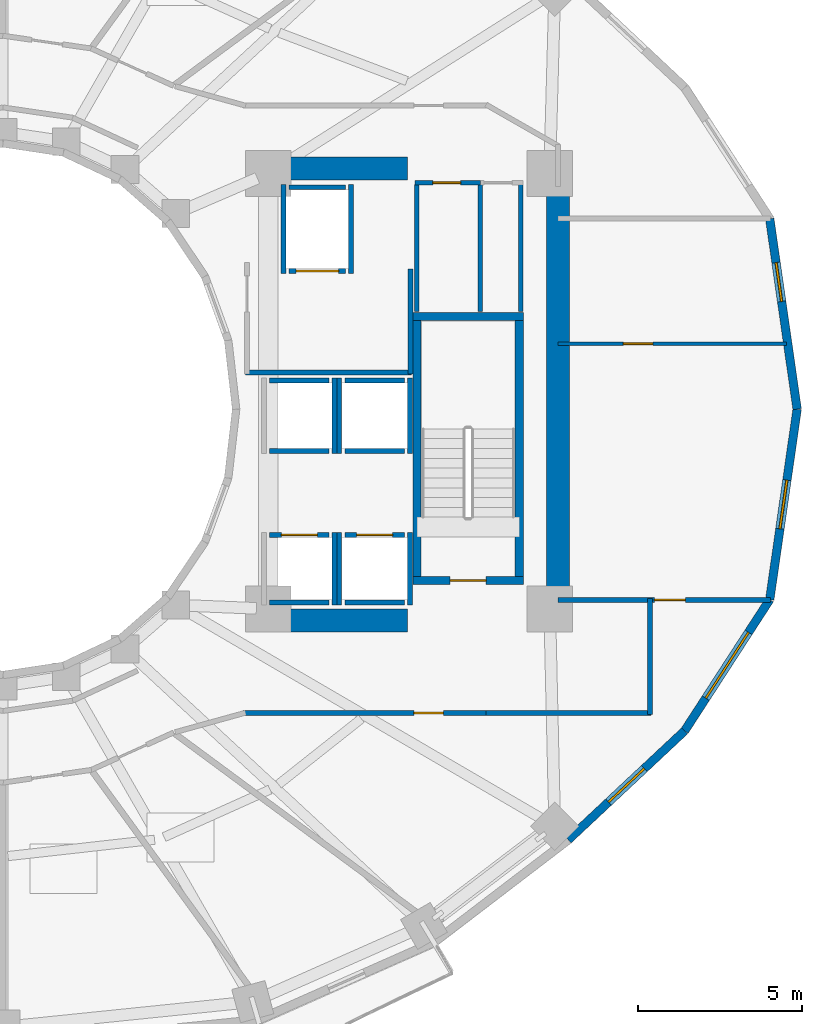
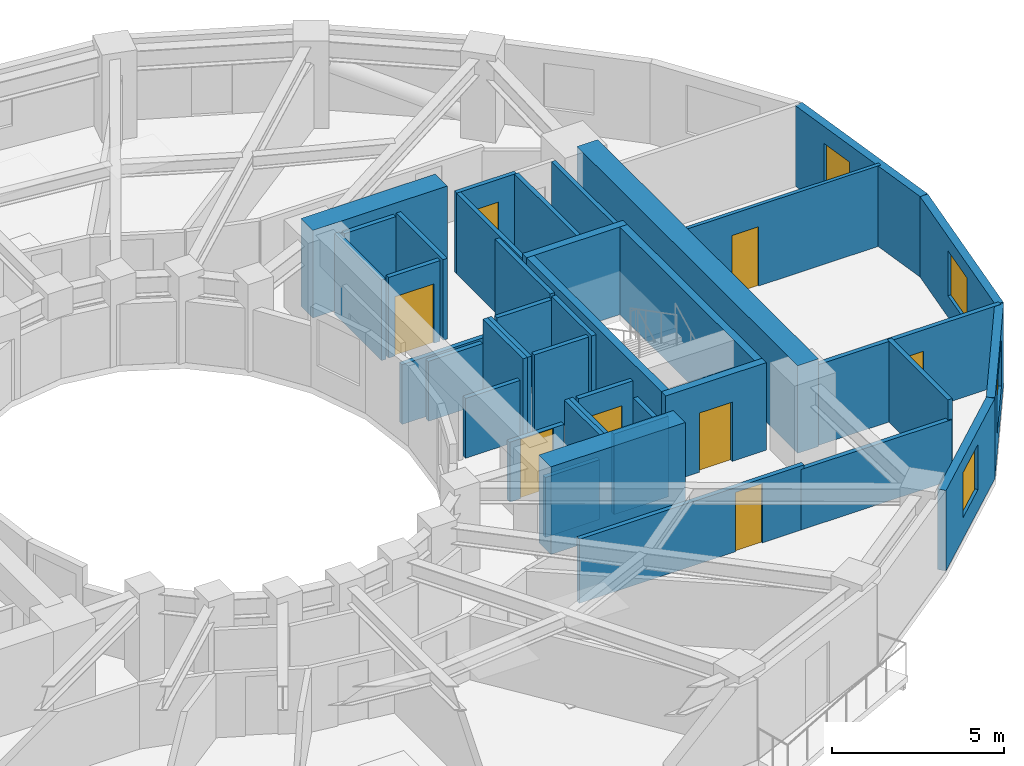
# One storey, part 6 of 10: 40 walls, 8 doors, 4 windows, 12 openings.
"""IFC4 building model written with IfcOpenShell, lengths in metres."""

import ifcopenshell
import ifcopenshell.guid

model = None  # the IFC model being written
_history = None  # IfcOwnerHistory: only IFC2X3 demands one
_inside = {}  # id of a spatial element -> (the spatial element, [elements in it])
_under = {}  # id of a project, library or spatial element -> (it, [spatial elements below it])
_declared = {}  # id of a project -> (the project, [libraries it declares])
_typed = {}  # id of a type object -> (the type object, [elements of that type])
_made_of = {}  # id of a material, layer set ... -> (it, [elements and type objects made of it])


def new_model(schema):
    """Start an empty IFC model of exactly this schema.

    Asked for "IFC4X3", IfcOpenShell would pick the latest addendum, in which some entities
    have other attributes; the version numbers below select the first issue.
    IFC2X3 requires an IfcOwnerHistory on every rooted entity: one is made here for all.
    """
    global model, _history
    if schema == "IFC4X3":
        model = ifcopenshell.file(schema_version=(4, 3, 0, 0))
    else:
        model = ifcopenshell.file(schema=schema)
    _inside.clear()
    _under.clear()
    _declared.clear()
    _typed.clear()
    _made_of.clear()
    _history = None
    if model.schema == "IFC2X3":
        org = make("IfcOrganization", Name="unknown")
        user = make(
            "IfcPersonAndOrganization",
            ThePerson=make("IfcPerson", FamilyName="unknown"),
            TheOrganization=org,
        )
        app = make(
            "IfcApplication",
            ApplicationDeveloper=org,
            Version="unknown",
            ApplicationFullName="unknown",
            ApplicationIdentifier="unknown",
        )
        _history = make(
            "IfcOwnerHistory",
            OwningUser=user,
            OwningApplication=app,
            ChangeAction="ADDED",
            CreationDate=0,
        )
    return model


def make(cls, **values):
    """One entity of the class cls with the attributes given. An attribute that is None is left unset."""
    return model.create_entity(
        cls, **{name: value for name, value in values.items() if value is not None}
    )


def rooted(cls, **values):
    """An entity with a GlobalId (a new one), such as an element, a storey or a relation."""
    return make(cls, GlobalId=ifcopenshell.guid.new(), OwnerHistory=_history, **values)


def si_unit(unit_type, name, prefix=None):
    """IfcSIUnit, for example si_unit("LENGTHUNIT", "METRE", prefix="MILLI")."""
    return make("IfcSIUnit", UnitType=unit_type, Prefix=prefix, Name=name)


def assignment(units):
    """IfcUnitAssignment: the units of a project."""
    return None if units is None else make("IfcUnitAssignment", Units=units)


def point(xyz):
    """IfcCartesianPoint."""
    return None if xyz is None else make("IfcCartesianPoint", Coordinates=xyz)


def direction(xyz):
    """IfcDirection."""
    return None if xyz is None else make("IfcDirection", DirectionRatios=xyz)


def frame(location, z_axis=None, x_axis=None):
    """IfcAxis2Placement3D, a coordinate frame: its origin and axes. An axis left out is left unset."""
    return make(
        "IfcAxis2Placement3D",
        Location=point(location),
        Axis=direction(z_axis),
        RefDirection=direction(x_axis),
    )


def frame_2d(location, x_axis=None):
    """IfcAxis2Placement2D, a coordinate frame in the plane: its origin and x axis."""
    return make(
        "IfcAxis2Placement2D", Location=point(location), RefDirection=direction(x_axis)
    )


def origin():
    """The frame at (0, 0, 0) with its axes left unset."""
    return frame((0.0, 0.0, 0.0))


def place(relative_to, where):
    """IfcLocalPlacement: puts the frame where relative to a parent placement (None: the world)."""
    return make(
        "IfcLocalPlacement", PlacementRelTo=relative_to, RelativePlacement=where
    )


def context(
    kind, dimensions, precision=None, world=None, true_north=None, identifier=None
):
    """IfcGeometricRepresentationContext, for example the 3D "Model" context."""
    return make(
        "IfcGeometricRepresentationContext",
        ContextIdentifier=identifier,
        ContextType=kind,
        CoordinateSpaceDimension=dimensions,
        Precision=precision,
        WorldCoordinateSystem=world,
        TrueNorth=true_north,
    )


def subcontext(parent, identifier, kind, view, scale=None):
    """IfcGeometricRepresentationSubContext, for example "Body" below "Model"."""
    return make(
        "IfcGeometricRepresentationSubContext",
        ContextIdentifier=identifier,
        ContextType=kind,
        ParentContext=parent,
        TargetScale=scale,
        TargetView=view,
    )


def project(units=None, contexts=None):
    """IfcProject with its units and contexts."""
    return rooted(
        "IfcProject",
        Name="project",
        RepresentationContexts=contexts,
        UnitsInContext=assignment(units),
    )


def spatial(cls, under=None, at=None, **own):
    """A site, building, storey or space (cls), placed at a placement, below another one or the project."""
    s = rooted(cls, ObjectPlacement=at, **own)
    if under is not None:
        _under.setdefault(under.id(), (under, []))[1].append(s)
    return s


def profile(cls, at=None, kind="AREA", **sizes):
    """A parametric profile (cls). Its sizes go by their IFC names, for example OverallWidth=200.0."""
    return make(cls, ProfileType=kind, Position=at, **sizes)


def rectangle(**sizes):
    """IfcRectangleProfileDef."""
    return profile("IfcRectangleProfileDef", **sizes)


def extrude(swept, where, along, depth):
    """IfcExtrudedAreaSolid: the profile swept, set in the frame where, extruded along a direction by depth."""
    return make(
        "IfcExtrudedAreaSolid",
        SweptArea=swept,
        Position=where,
        ExtrudedDirection=direction(along),
        Depth=depth,
    )


def shape(context_of_items, identifier, shape_type, items):
    """IfcShapeRepresentation: the items that make up one representation, for example the "Body"."""
    return make(
        "IfcShapeRepresentation",
        ContextOfItems=context_of_items,
        RepresentationIdentifier=identifier,
        RepresentationType=shape_type,
        Items=items,
    )


def material(Name=None, Category=None):
    """IfcMaterial."""
    return make("IfcMaterial", Name=Name, Category=Category)


def layer(
    of_material, thickness, ventilated=None, Name=None, Category=None, Priority=None
):
    """IfcMaterialLayer: one layer of a wall or slab, of a material (None: an air gap)."""
    return make(
        "IfcMaterialLayer",
        Material=of_material,
        LayerThickness=thickness,
        IsVentilated=ventilated,
        Name=Name,
        Category=Category,
        Priority=Priority,
    )


def layer_set(layers, Name=None):
    """IfcMaterialLayerSet."""
    return make("IfcMaterialLayerSet", MaterialLayers=layers, LayerSetName=Name)


def made_of(thing, what):
    """Note that an element or type object is made of a material, layer set ...; save() writes the relation."""
    if what is not None:
        _made_of.setdefault(what.id(), (what, []))[1].append(thing)
    return thing


def type_object(cls, material=None, **own):
    """A type object (cls), such as IfcWallType, which elements share."""
    return made_of(rooted(cls, **own), material)


def element(
    cls,
    number,
    at=None,
    inside=None,
    cuts=None,
    type_object=None,
    material=None,
    context=None,
    identifier="Body",
    shape_type=None,
    held_by="IfcProductDefinitionShape",
    body=None,
    shapes=None,
    **own,
):
    """One element of the class cls, such as IfcWall. Its Tag is "e" and its number.

    at: its placement. inside: the storey or other place that contains it. cuts: it is an
    opening in that element (IfcRelVoidsElement). A single representation is given by context,
    identifier, shape_type and body (its items); several are given by shapes. held_by: the class
    of the entity that holds the representations. save() writes the other relations.
    """
    e = rooted(cls, Tag="e%d" % number, ObjectPlacement=at, **own)
    if body is not None:
        shapes = [shape(context, identifier, shape_type, body)]
    if shapes is not None:
        e.Representation = make(held_by, Representations=shapes)
    if inside is not None:
        _inside.setdefault(inside.id(), (inside, []))[1].append(e)
    if cuts is not None:
        rooted(
            "IfcRelVoidsElement", RelatingBuildingElement=cuts, RelatedOpeningElement=e
        )
    if type_object is not None:
        _typed.setdefault(type_object.id(), (type_object, []))[1].append(e)
    return made_of(e, material)


def fill(opening, filler):
    """IfcRelFillsElement: the door or window that sits in an opening."""
    return rooted(
        "IfcRelFillsElement",
        RelatingOpeningElement=opening,
        RelatedBuildingElement=filler,
    )


def aggregate(whole, parts):
    """IfcRelAggregates: a whole, such as a stair, and the parts it consists of."""
    return rooted("IfcRelAggregates", RelatingObject=whole, RelatedObjects=parts)


def save(model, path):
    """Write the relations noted so far, then the file.

    IfcRelAggregates (storeys below a building ...), IfcRelContainedInSpatialStructure (elements
    in a storey), IfcRelDefinesByType, IfcRelAssociatesMaterial and IfcRelDeclares: one each for
    every whole, place, type object, material and project.
    """
    for whole, parts in _under.values():
        aggregate(whole, parts)
    for where, things in _inside.values():
        rooted(
            "IfcRelContainedInSpatialStructure",
            RelatedElements=things,
            RelatingStructure=where,
        )
    for kind, things in _typed.values():
        rooted("IfcRelDefinesByType", RelatedObjects=things, RelatingType=kind)
    for what, things in _made_of.values():
        rooted("IfcRelAssociatesMaterial", RelatedObjects=things, RelatingMaterial=what)
    for by, libraries in _declared.values():
        rooted("IfcRelDeclares", RelatingContext=by, RelatedDefinitions=libraries)
    model.write(path)


model = new_model("IFC4")

# Units and contexts
model_context = context("Model", 3, precision=1e-05, world=origin(), true_north=direction((0.0, 1.0)))
body_context = subcontext(model_context, "Body", "Model", "MODEL_VIEW")
ifc_project = project(units=[si_unit("LENGTHUNIT", "METRE"), si_unit("AREAUNIT", "SQUARE_METRE"), si_unit("VOLUMEUNIT", "CUBIC_METRE"), si_unit("PLANEANGLEUNIT", "RADIAN"), si_unit("MASSUNIT", "GRAM", prefix="KILO")], contexts=[model_context])

# Site, building, storey
site_placement = place(None, origin())
site = spatial("IfcSite", under=ifc_project, at=site_placement, CompositionType="ELEMENT")
building_placement = place(site_placement, origin())
building = spatial("IfcBuilding", under=site, at=building_placement, Name="Solvane Sanctuary Tower", CompositionType="ELEMENT")
storey_placement = place(building_placement, frame((0.0, 0.0, 107.300048828125)))
storey = spatial("IfcBuildingStorey", under=building, at=storey_placement, Name="L32", CompositionType="ELEMENT", Elevation=107.300048828125)

# Walls
ifc_material_1 = material(Name="Concrete C60/75", Category="concrete")
ifc_layer_1 = layer(ifc_material_1, 0.699951171875, Name="Concrete C60/75")
ifc_layer_set_1 = layer_set([ifc_layer_1], Name="Concrete C60/75")
wall_type_1 = type_object("IfcWallType", Name="Wall W-CORE-700", PredefinedType="SHEAR", material=ifc_layer_set_1)
wall_1_placement = place(storey_placement, frame((48.949951171875, 17.050048828125, 0.0), z_axis=(0.0, 0.0, 1.0), x_axis=(0.0, 1.0, 0.0)))
element("IfcWall", 1, at=wall_1_placement, inside=storey, type_object=wall_type_1, Name="L32 Core Shear Wall EC-E", PredefinedType="SHEAR", context=body_context, shape_type="SweptSolid", body=[
    extrude(rectangle(XDim=12.800048828125, YDim=0.699951171875, at=frame_2d((6.39990234375, 0.0))), origin(), (0.0, 0.0, 1.0), 3.099853515625),
])
for number, where, z_axis, x_axis, name in (
    (2, (39.85009765625, 16.550048828125, 0.0), (0.0, 0.0, 1.0), (1.0, 0.0, 0.0), "L32 Core Shear Wall EC-S"),
    (3, (39.85009765625, 30.35009765625, 0.0), (0.0, 0.0, 1.0), (1.0, 0.0, 0.0), "L32 Core Shear Wall EC-N"),
):
    element("IfcWall", number, at=place(storey_placement, frame(where, z_axis=z_axis, x_axis=x_axis)), inside=storey, type_object=wall_type_1, Name=name, PredefinedType="SHEAR", context=body_context, shape_type="SweptSolid", body=[
        extrude(rectangle(XDim=4.5, YDim=0.699951171875, at=frame_2d((2.25, 0.0))), origin(), (0.0, 0.0, 1.0), 3.099853515625),
    ])
ifc_material_2 = material(Name="Acoustic Gypsum Partition Board")
ifc_layer_2 = layer(ifc_material_2, 0.14990234375, Name="Acoustic Gypsum Partition Board")
ifc_layer_set_2 = layer_set([ifc_layer_2], Name="Acoustic Gypsum Partition Board")
wall_type_2 = type_object("IfcWallType", Name="Wall W-CORR-150", PredefinedType="PARTITIONING", material=ifc_layer_set_2)
wall_2_placement = place(storey_placement, frame((39.39990234375, 24.1201171875, 0.0), z_axis=(0.0, 0.0, 1.0), x_axis=(1.0, 0.0, 0.0)))
element("IfcWall", 4, at=wall_2_placement, inside=storey, type_object=wall_type_2, Name="L32 East Firefighting Lobby South Wall", PredefinedType="PARTITIONING", context=body_context, shape_type="SweptSolid", body=[
    extrude(rectangle(XDim=5.080078125, YDim=0.14990234375, at=frame_2d((2.5400390625, 0.0))), origin(), (0.0, 0.0, 1.0), 2.119873046875),
])
wall_3_placement = place(storey_placement, frame((44.449951171875, 24.080078125, 0.0), z_axis=(0.0, 0.0, 1.0), x_axis=(0.0, 1.0, 0.0)))
element("IfcWall", 5, at=wall_3_placement, inside=storey, type_object=wall_type_2, Name="L32 East Firefighting Lobby East Wall", PredefinedType="PARTITIONING", context=body_context, shape_type="SweptSolid", body=[
    extrude(rectangle(XDim=3.199951171875, YDim=0.14990234375, at=frame_2d((1.60009765625, 0.0))), origin(), (0.0, 0.0, 1.0), 2.85498046875),
])

# Wall, opening, door
wall_4_placement = place(storey_placement, frame((48.949951171875, 17.1748046875, 0.0), z_axis=(0.0, 0.0, 1.0), x_axis=(1.0, 0.0, 0.0)))
wall_4 = element("IfcWall", 6, at=wall_4_placement, inside=storey, type_object=wall_type_2, Name="L32 East Shoulder South Wall", PredefinedType="PARTITIONING", context=body_context, shape_type="SweptSolid", body=[
    extrude(rectangle(XDim=6.49169921875, YDim=0.14990234375, at=frame_2d((3.245849609375, 0.0))), origin(), (0.0, 0.0, 1.0), 2.85498046875),
])
opening_1_placement = place(wall_4_placement, frame((2.947509765625, 0.0, 0.0)))
opening_1 = element("IfcOpeningElement", 7, at=opening_1_placement, cuts=wall_4, Name="Opening D-L32-14", PredefinedType="OPENING", context=body_context, shape_type="SweptSolid", body=[
    extrude(rectangle(XDim=0.949951171875, YDim=2.10009765625, at=frame_2d((0.47509765625, 1.050048828125))), frame((0.0, 0.0849609375, 0.0), z_axis=(0.0, -1.0, 0.0), x_axis=(1.0, 0.0, 0.0)), (0.0, 0.0, 1.0), 0.169921875),
])
ifc_material_3 = material(Name="Engineered Tropical Hardwood", Category="wood")
door_type_1 = type_object("IfcDoorType", Name="Door D-ROOM-950", OperationType="NOTDEFINED", PredefinedType="DOOR", material=ifc_material_3)
door_1_placement = place(opening_1_placement, origin())
door_1 = element("IfcDoor", 8, at=door_1_placement, inside=storey, type_object=door_type_1, Name="L32 East Shoulder South Door", OperationType="SINGLE_SWING_LEFT", OverallHeight=2.10009765625, OverallWidth=0.949951171875, PredefinedType="DOOR", context=body_context, shape_type="SweptSolid", body=[
    extrude(rectangle(XDim=0.949951171875, YDim=2.10009765625, at=frame_2d((0.47509765625, 1.050048828125))), frame((0.0, 0.02490234375, 0.0), z_axis=(0.0, -1.0, 0.0), x_axis=(1.0, 0.0, 0.0)), (0.0, 0.0, 1.0), 0.050048828125),
])
fill(opening_1, door_1)

# Wall
wall_5_placement = place(storey_placement, frame((51.760009765625, 13.679931640625, 0.0), z_axis=(0.0, 0.0, 1.0), x_axis=(0.0, 1.0, 0.0)))
element("IfcWall", 9, at=wall_5_placement, inside=storey, type_object=wall_type_2, Name="L32 SE Corner Closer 1", PredefinedType="PARTITIONING", context=body_context, shape_type="SweptSolid", body=[
    extrude(rectangle(XDim=3.534912109375, YDim=0.14990234375, at=frame_2d((1.767578125, 0.0))), origin(), (0.0, 0.0, 1.0), 2.85498046875),
])

# Wall, opening, door
wall_6_placement = place(storey_placement, frame((39.330078125, 13.719970703125, 0.0), z_axis=(0.0, 0.0, 1.0), x_axis=(1.0, 0.0, 0.0)))
wall_6 = element("IfcWall", 10, at=wall_6_placement, inside=storey, type_object=wall_type_2, Name="L32 SE Corner Corridor Wall", PredefinedType="PARTITIONING", context=body_context, shape_type="SweptSolid", body=[
    extrude(rectangle(XDim=7.52001953125, YDim=0.14990234375, at=frame_2d((3.760009765625, 0.0))), origin(), (0.0, 0.0, 1.0), 2.27197265625),
])
opening_2_placement = place(wall_6_placement, frame((5.219970703125, 0.0, 0.0)))
opening_2 = element("IfcOpeningElement", 11, at=opening_2_placement, cuts=wall_6, Name="Opening D-L32-21", PredefinedType="OPENING", context=body_context, shape_type="SweptSolid", body=[
    extrude(rectangle(XDim=0.89990234375, YDim=2.10009765625, at=frame_2d((0.449951171875, 1.050048828125))), frame((0.0, 0.0849609375, 0.0), z_axis=(0.0, -1.0, 0.0), x_axis=(1.0, 0.0, 0.0)), (0.0, 0.0, 1.0), 0.169921875),
])
door_type_2 = type_object("IfcDoorType", Name="Door D-WET-900", OperationType="NOTDEFINED", PredefinedType="DOOR", material=ifc_material_3)
door_2_placement = place(opening_2_placement, origin())
door_2 = element("IfcDoor", 12, at=door_2_placement, inside=storey, type_object=door_type_2, Name="L32 SE Corner Salon Door", OperationType="SINGLE_SWING_RIGHT", OverallHeight=2.10009765625, OverallWidth=0.89990234375, PredefinedType="DOOR", context=body_context, shape_type="SweptSolid", body=[
    extrude(rectangle(XDim=0.89990234375, YDim=2.10009765625, at=frame_2d((0.449951171875, 1.050048828125))), frame((0.0, 0.02490234375, 0.0), z_axis=(0.0, -1.0, 0.0), x_axis=(1.0, 0.0, 0.0)), (0.0, 0.0, 1.0), 0.050048828125),
])
fill(opening_2, door_2)

# Wall
wall_7_placement = place(storey_placement, frame((46.75, 13.719970703125, 0.0), z_axis=(0.0, 0.0, 1.0), x_axis=(1.0, 0.0, 0.0)))
element("IfcWall", 13, at=wall_7_placement, inside=storey, type_object=wall_type_2, Name="L32 SE Corner Wing Wall", PredefinedType="PARTITIONING", context=body_context, shape_type="SweptSolid", body=[
    extrude(rectangle(XDim=5.050048828125, YDim=0.14990234375, at=frame_2d((2.52490234375, 0.0))), origin(), (0.0, 0.0, 1.0), 2.141845703125),
])

# Wall, opening, window
ifc_material_4 = material(Name="Precast concrete C40/50", Category="concrete")
ifc_layer_3 = layer(ifc_material_4, 0.260009765625, Name="Precast concrete C40/50")
ifc_layer_set_3 = layer_set([ifc_layer_3], Name="Precast concrete C40/50")
wall_type_3 = type_object("IfcWallType", Name="Wall W-EXT-250", PredefinedType="STANDARD", material=ifc_layer_set_3)
wall_8_placement = place(storey_placement, frame((56.260009765625, 23.0, 0.0), z_axis=(0.0, 0.0, 1.0), x_axis=(-0.142572472068, 0.98978436551, 0.0)))
wall_8 = element("IfcWall", 14, at=wall_8_placement, inside=storey, type_object=wall_type_3, Name="L32 Ceramic-Printed Facade Wall 00", PredefinedType="STANDARD", context=body_context, shape_type="SweptSolid", body=[
    extrude(rectangle(XDim=5.878662109375, YDim=0.260009765625, at=frame_2d((2.939453125, 0.0))), origin(), (0.0, 0.0, 1.0), 2.849853515625),
])
opening_3_placement = place(wall_8_placement, frame((3.32470703125, 0.0, 0.75)))
opening_3 = element("IfcOpeningElement", 15, at=opening_3_placement, cuts=wall_8, Name="Opening WN-OPER-1200", PredefinedType="OPENING", context=body_context, shape_type="SweptSolid", body=[
    extrude(rectangle(XDim=1.199951171875, YDim=1.5, at=frame_2d((0.60009765625, 0.75))), frame((0.0, 0.139892578125, 0.0), z_axis=(0.0, -1.0, 0.0), x_axis=(1.0, 0.0, 0.0)), (0.0, 0.0, 1.0), 0.280029296875),
])
ifc_material_5 = material(Name="Dark Ceramic-Fritted Low-E Glass", Category="glass")
window_type_1 = type_object("IfcWindowType", Name="Window WN-OPER-1200", PartitioningType="SINGLE_PANEL", PredefinedType="WINDOW", material=ifc_material_5)
window_1_placement = place(opening_3_placement, origin())
window_1 = element("IfcWindow", 16, at=window_1_placement, inside=storey, type_object=window_type_1, Name="L32 Operable Facade Window 00", OverallHeight=1.5, OverallWidth=1.199951171875, PartitioningType="SINGLE_PANEL", PredefinedType="WINDOW", context=body_context, shape_type="SweptSolid", body=[
    extrude(rectangle(XDim=1.199951171875, YDim=1.5, at=frame_2d((0.60009765625, 0.75))), frame((0.0, 0.030029296875, 0.0), z_axis=(0.0, -1.0, 0.0), x_axis=(1.0, 0.0, 0.0)), (0.0, 0.0, 1.0), 0.06005859375),
])
fill(opening_3, window_1)

wall_9_placement = place(storey_placement, frame((49.265869140625, 9.8466796875, 0.0), z_axis=(0.0, 0.0, 1.0), x_axis=(0.730162452258, 0.68327358599, 0.0)))
wall_9 = element("IfcWall", 17, at=wall_9_placement, inside=storey, type_object=wall_type_3, Name="L32 Ceramic-Printed Facade Wall 21", PredefinedType="STANDARD", context=body_context, shape_type="SweptSolid", body=[
    extrude(rectangle(XDim=4.868408203125, YDim=0.260009765625, at=frame_2d((2.43408203125, 0.0))), origin(), (0.0, 0.0, 1.0), 2.849853515625),
])
opening_4_placement = place(wall_9_placement, frame((1.68408203125, 0.0, 0.75)))
opening_4 = element("IfcOpeningElement", 18, at=opening_4_placement, cuts=wall_9, Name="Opening WN-OPER-1500", PredefinedType="OPENING", context=body_context, shape_type="SweptSolid", body=[
    extrude(rectangle(XDim=1.5, YDim=1.60009765625, at=frame_2d((0.75, 0.800048828125))), frame((0.0, 0.139892578125, 0.0), z_axis=(0.0, -1.0, 0.0), x_axis=(1.0, 0.0, 0.0)), (0.0, 0.0, 1.0), 0.280029296875),
])
window_type_2 = type_object("IfcWindowType", Name="Window WN-OPER-1500", PartitioningType="SINGLE_PANEL", PredefinedType="WINDOW", material=ifc_material_5)
window_2_placement = place(opening_4_placement, origin())
window_2 = element("IfcWindow", 19, at=window_2_placement, inside=storey, type_object=window_type_2, Name="L32 Operable Facade Window 21", OverallHeight=1.60009765625, OverallWidth=1.5, PartitioningType="SINGLE_PANEL", PredefinedType="WINDOW", context=body_context, shape_type="SweptSolid", body=[
    extrude(rectangle(XDim=1.5, YDim=1.60009765625, at=frame_2d((0.75, 0.800048828125))), frame((0.0, 0.030029296875, 0.0), z_axis=(0.0, -1.0, 0.0), x_axis=(1.0, 0.0, 0.0)), (0.0, 0.0, 1.0), 0.06005859375),
])
fill(opening_4, window_2)

wall_10_placement = place(storey_placement, frame((52.820556640625, 13.173095703125, 0.0), z_axis=(0.0, 0.0, 1.0), x_axis=(0.544388392991, 0.838833283541, 0.0)))
wall_10 = element("IfcWall", 20, at=wall_10_placement, inside=storey, type_object=wall_type_3, Name="L32 Ceramic-Printed Facade Wall 22", PredefinedType="STANDARD", context=body_context, shape_type="SweptSolid", body=[
    extrude(rectangle(XDim=4.7783203125, YDim=0.260009765625, at=frame_2d((2.38916015625, 0.0))), origin(), (0.0, 0.0, 1.0), 2.849853515625),
])
opening_5_placement = place(wall_10_placement, frame((1.189208984375, 0.0, 0.75)))
opening_5 = element("IfcOpeningElement", 21, at=opening_5_placement, cuts=wall_10, Name="Opening WN-RIB-2400", PredefinedType="OPENING", context=body_context, shape_type="SweptSolid", body=[
    extrude(rectangle(XDim=2.39990234375, YDim=1.699951171875, at=frame_2d((1.199951171875, 0.85009765625))), frame((0.0, 0.139892578125, 0.0), z_axis=(0.0, -1.0, 0.0), x_axis=(1.0, 0.0, 0.0)), (0.0, 0.0, 1.0), 0.280029296875),
])
window_type_3 = type_object("IfcWindowType", Name="Window WN-RIB-2400", PartitioningType="SINGLE_PANEL", PredefinedType="WINDOW", material=ifc_material_5)
window_3_placement = place(opening_5_placement, origin())
window_3 = element("IfcWindow", 22, at=window_3_placement, inside=storey, type_object=window_type_3, Name="L32 Operable Facade Window 22", OverallHeight=1.699951171875, OverallWidth=2.39990234375, PartitioningType="SINGLE_PANEL", PredefinedType="WINDOW", context=body_context, shape_type="SweptSolid", body=[
    extrude(rectangle(XDim=2.39990234375, YDim=1.699951171875, at=frame_2d((1.199951171875, 0.85009765625))), frame((0.0, 0.030029296875, 0.0), z_axis=(0.0, -1.0, 0.0), x_axis=(1.0, 0.0, 0.0)), (0.0, 0.0, 1.0), 0.06005859375),
])
fill(opening_5, window_3)

wall_11_placement = place(storey_placement, frame((55.421875, 17.181396484375, 0.0), z_axis=(0.0, 0.0, 1.0), x_axis=(0.142572472068, 0.98978436551, 0.0)))
wall_11 = element("IfcWall", 23, at=wall_11_placement, inside=storey, type_object=wall_type_3, Name="L32 Ceramic-Printed Facade Wall 23", PredefinedType="STANDARD", context=body_context, shape_type="SweptSolid", body=[
    extrude(rectangle(XDim=5.878662109375, YDim=0.260009765625, at=frame_2d((2.939453125, 0.0))), origin(), (0.0, 0.0, 1.0), 2.849853515625),
])
opening_6_placement = place(wall_11_placement, frame((2.189453125, 0.0, 0.75)))
opening_6 = element("IfcOpeningElement", 24, at=opening_6_placement, cuts=wall_11, Name="Opening WN-OPER-1500", PredefinedType="OPENING", context=body_context, shape_type="SweptSolid", body=[
    extrude(rectangle(XDim=1.5, YDim=1.60009765625, at=frame_2d((0.75, 0.800048828125))), frame((0.0, 0.139892578125, 0.0), z_axis=(0.0, -1.0, 0.0), x_axis=(1.0, 0.0, 0.0)), (0.0, 0.0, 1.0), 0.280029296875),
])
window_4_placement = place(opening_6_placement, origin())
window_4 = element("IfcWindow", 25, at=window_4_placement, inside=storey, type_object=window_type_2, Name="L32 Operable Facade Window 23", OverallHeight=1.60009765625, OverallWidth=1.5, PartitioningType="SINGLE_PANEL", PredefinedType="WINDOW", context=body_context, shape_type="SweptSolid", body=[
    extrude(rectangle(XDim=1.5, YDim=1.60009765625, at=frame_2d((0.75, 0.800048828125))), frame((0.0, 0.030029296875, 0.0), z_axis=(0.0, -1.0, 0.0), x_axis=(1.0, 0.0, 0.0)), (0.0, 0.0, 1.0), 0.06005859375),
])
fill(opening_6, window_4)

# Wall, opening, door
ifc_layer_4 = layer(ifc_material_2, 0.1201171875, Name="Acoustic Gypsum Partition Board")
ifc_layer_set_4 = layer_set([ifc_layer_4], Name="Acoustic Gypsum Partition Board")
wall_type_4 = type_object("IfcWallType", Name="Wall W-MOV-100", PredefinedType="MOVABLE", material=ifc_layer_set_4)
wall_12_placement = place(storey_placement, frame((48.949951171875, 25.0, 0.0), z_axis=(0.0, 0.0, 1.0), x_axis=(1.0, 0.0, 0.0)))
wall_12 = element("IfcWall", 26, at=wall_12_placement, inside=storey, type_object=wall_type_4, Name="L32 East Suite Partition", PredefinedType="MOVABLE", context=body_context, shape_type="SweptSolid", body=[
    extrude(rectangle(XDim=6.982177734375, YDim=0.1201171875, at=frame_2d((3.4912109375, 0.0))), origin(), (0.0, 0.0, 1.0), 2.85498046875),
])
opening_7_placement = place(wall_12_placement, frame((2.0, 0.0, 0.0)))
opening_7 = element("IfcOpeningElement", 27, at=opening_7_placement, cuts=wall_12, Name="Opening D-L32-15", PredefinedType="OPENING", context=body_context, shape_type="SweptSolid", body=[
    extrude(rectangle(XDim=0.89990234375, YDim=2.10009765625, at=frame_2d((0.449951171875, 1.050048828125))), frame((0.0, 0.070068359375, 0.0), z_axis=(0.0, -1.0, 0.0), x_axis=(1.0, 0.0, 0.0)), (0.0, 0.0, 1.0), 0.14013671875),
])
door_3_placement = place(opening_7_placement, origin())
door_3 = element("IfcDoor", 28, at=door_3_placement, inside=storey, type_object=door_type_2, Name="L32 East Suite Internal Door", OperationType="SINGLE_SWING_RIGHT", OverallHeight=2.10009765625, OverallWidth=0.89990234375, PredefinedType="DOOR", context=body_context, shape_type="SweptSolid", body=[
    extrude(rectangle(XDim=0.89990234375, YDim=2.10009765625, at=frame_2d((0.449951171875, 1.050048828125))), frame((0.0, 0.02490234375, 0.0), z_axis=(0.0, -1.0, 0.0), x_axis=(1.0, 0.0, 0.0)), (0.0, 0.0, 1.0), 0.050048828125),
])
fill(opening_7, door_3)

ifc_material_6 = material(Name="Concrete C50/60", Category="concrete")
ifc_layer_5 = layer(ifc_material_6, 0.14990234375, Name="Concrete C50/60")
ifc_layer_set_5 = layer_set([ifc_layer_5], Name="Concrete C50/60")
wall_type_5 = type_object("IfcWallType", Name="Wall W-SHAFT-150", PredefinedType="SOLIDWALL", material=ifc_layer_set_5)
wall_13_placement = place(storey_placement, frame((40.139892578125, 19.159912109375, 0.0), z_axis=(0.0, 0.0, 1.0), x_axis=(1.0, 0.0, 0.0)))
wall_13 = element("IfcWall", 29, at=wall_13_placement, inside=storey, type_object=wall_type_5, Name="L32 PL-3 Lift Shaft Wall F", PredefinedType="SOLIDWALL", context=body_context, shape_type="SweptSolid", body=[
    extrude(rectangle(XDim=1.820068359375, YDim=0.14990234375, at=frame_2d((0.91015625, 0.0))), origin(), (0.0, 0.0, 1.0), 2.119873046875),
])
opening_8_placement = place(wall_13_placement, frame((0.360107421875, 0.0, 0.0)))
opening_8 = element("IfcOpeningElement", 30, at=opening_8_placement, cuts=wall_13, Name="Opening LD-L32-03", PredefinedType="OPENING", context=body_context, shape_type="SweptSolid", body=[
    extrude(rectangle(XDim=1.10009765625, YDim=2.10009765625, at=frame_2d((0.550048828125, 1.050048828125))), frame((0.0, 0.0849609375, 0.0), z_axis=(0.0, -1.0, 0.0), x_axis=(1.0, 0.0, 0.0)), (0.0, 0.0, 1.0), 0.169921875),
])
ifc_material_7 = material(Name="Architectural Stainless Steel 316", Category="steel")
door_type_3 = type_object("IfcDoorType", Name="Door LD-PASS-1100", OperationType="NOTDEFINED", PredefinedType="DOOR", material=ifc_material_7)
door_4_placement = place(opening_8_placement, origin())
door_4 = element("IfcDoor", 31, at=door_4_placement, inside=storey, type_object=door_type_3, Name="L32 PL-3 Lift Landing Door", OperationType="DOUBLE_DOOR_SLIDING", OverallHeight=2.10009765625, OverallWidth=1.10009765625, PredefinedType="DOOR", context=body_context, shape_type="SweptSolid", body=[
    extrude(rectangle(XDim=1.10009765625, YDim=2.10009765625, at=frame_2d((0.550048828125, 1.050048828125))), frame((0.0, 0.02490234375, 0.0), z_axis=(0.0, -1.0, 0.0), x_axis=(1.0, 0.0, 0.0)), (0.0, 0.0, 1.0), 0.050048828125),
])
fill(opening_8, door_4)

# Walls
wall_14_placement = place(storey_placement, frame((40.139892578125, 17.10009765625, 0.0), z_axis=(0.0, 0.0, 1.0), x_axis=(1.0, 0.0, 0.0)))
element("IfcWall", 32, at=wall_14_placement, inside=storey, type_object=wall_type_5, Name="L32 PL-3 Lift Shaft Wall B", PredefinedType="SOLIDWALL", context=body_context, shape_type="SweptSolid", body=[
    extrude(rectangle(XDim=1.820068359375, YDim=0.14990234375, at=frame_2d((0.91015625, 0.0))), origin(), (0.0, 0.0, 1.0), 2.119873046875),
])
wall_15_placement = place(storey_placement, frame((42.1298828125, 17.02001953125, 0.0), z_axis=(0.0, 0.0, 1.0), x_axis=(0.0, 1.0, 0.0)))
element("IfcWall", 33, at=wall_15_placement, inside=storey, type_object=wall_type_5, Name="L32 PL-3 Lift Shaft Wall S2", PredefinedType="SOLIDWALL", context=body_context, shape_type="SweptSolid", body=[
    extrude(rectangle(XDim=2.219970703125, YDim=0.14990234375, at=frame_2d((1.10986328125, 0.0))), origin(), (0.0, 0.0, 1.0), 2.85498046875),
])

# Wall, opening, door
wall_16_placement = place(storey_placement, frame((42.43994140625, 19.159912109375, 0.0), z_axis=(0.0, 0.0, 1.0), x_axis=(1.0, 0.0, 0.0)))
wall_16 = element("IfcWall", 34, at=wall_16_placement, inside=storey, type_object=wall_type_5, Name="L32 PL-4 Lift Shaft Wall F", PredefinedType="SOLIDWALL", context=body_context, shape_type="SweptSolid", body=[
    extrude(rectangle(XDim=1.820068359375, YDim=0.14990234375, at=frame_2d((0.91015625, 0.0))), origin(), (0.0, 0.0, 1.0), 2.85498046875),
])
opening_9_placement = place(wall_16_placement, frame((0.360107421875, 0.0, 0.0)))
opening_9 = element("IfcOpeningElement", 35, at=opening_9_placement, cuts=wall_16, Name="Opening LD-L32-04", PredefinedType="OPENING", context=body_context, shape_type="SweptSolid", body=[
    extrude(rectangle(XDim=1.10009765625, YDim=2.10009765625, at=frame_2d((0.550048828125, 1.050048828125))), frame((0.0, 0.0849609375, 0.0), z_axis=(0.0, -1.0, 0.0), x_axis=(1.0, 0.0, 0.0)), (0.0, 0.0, 1.0), 0.169921875),
])
door_5_placement = place(opening_9_placement, origin())
door_5 = element("IfcDoor", 36, at=door_5_placement, inside=storey, type_object=door_type_3, Name="L32 PL-4 Lift Landing Door", OperationType="DOUBLE_DOOR_SLIDING", OverallHeight=2.10009765625, OverallWidth=1.10009765625, PredefinedType="DOOR", context=body_context, shape_type="SweptSolid", body=[
    extrude(rectangle(XDim=1.10009765625, YDim=2.10009765625, at=frame_2d((0.550048828125, 1.050048828125))), frame((0.0, 0.02490234375, 0.0), z_axis=(0.0, -1.0, 0.0), x_axis=(1.0, 0.0, 0.0)), (0.0, 0.0, 1.0), 0.050048828125),
])
fill(opening_9, door_5)

# Walls
wall_17_placement = place(storey_placement, frame((42.43994140625, 17.10009765625, 0.0), z_axis=(0.0, 0.0, 1.0), x_axis=(1.0, 0.0, 0.0)))
element("IfcWall", 37, at=wall_17_placement, inside=storey, type_object=wall_type_5, Name="L32 PL-4 Lift Shaft Wall B", PredefinedType="SOLIDWALL", context=body_context, shape_type="SweptSolid", body=[
    extrude(rectangle(XDim=1.820068359375, YDim=0.14990234375, at=frame_2d((0.91015625, 0.0))), origin(), (0.0, 0.0, 1.0), 2.85498046875),
])
wall_18_placement = place(storey_placement, frame((42.27001953125, 17.02001953125, 0.0), z_axis=(0.0, 0.0, 1.0), x_axis=(0.0, 1.0, 0.0)))
element("IfcWall", 38, at=wall_18_placement, inside=storey, type_object=wall_type_5, Name="L32 PL-4 Lift Shaft Wall S1", PredefinedType="SOLIDWALL", context=body_context, shape_type="SweptSolid", body=[
    extrude(rectangle(XDim=2.219970703125, YDim=0.14990234375, at=frame_2d((1.10986328125, 0.0))), origin(), (0.0, 0.0, 1.0), 2.85498046875),
])
wall_19_placement = place(storey_placement, frame((44.429931640625, 17.02001953125, 0.0), z_axis=(0.0, 0.0, 1.0), x_axis=(0.0, 1.0, 0.0)))
element("IfcWall", 39, at=wall_19_placement, inside=storey, type_object=wall_type_5, Name="L32 PL-4 Lift Shaft Wall S2", PredefinedType="SOLIDWALL", context=body_context, shape_type="SweptSolid", body=[
    extrude(rectangle(XDim=2.219970703125, YDim=0.14990234375, at=frame_2d((1.10986328125, 0.0))), origin(), (0.0, 0.0, 1.0), 2.119873046875),
])
for number, where, z_axis, x_axis, name in (
    (40, (42.43994140625, 21.719970703125, 0.0), (0.0, 0.0, 1.0), (1.0, 0.0, 0.0), "L32 PM-2 Lift Shaft Wall F"),
    (41, (42.43994140625, 23.8798828125, 0.0), (0.0, 0.0, 1.0), (1.0, 0.0, 0.0), "L32 PM-2 Lift Shaft Wall B"),
):
    element("IfcWall", number, at=place(storey_placement, frame(where, z_axis=z_axis, x_axis=x_axis)), inside=storey, type_object=wall_type_5, Name=name, PredefinedType="SOLIDWALL", context=body_context, shape_type="SweptSolid", body=[
        extrude(rectangle(XDim=1.820068359375, YDim=0.14990234375, at=frame_2d((0.91015625, 0.0))), origin(), (0.0, 0.0, 1.0), 2.85498046875),
    ])
for number, where, z_axis, x_axis, name in (
    (42, (42.27001953125, 21.639892578125, 0.0), (0.0, 0.0, 1.0), (0.0, 1.0, 0.0), "L32 PM-2 Lift Shaft Wall S1"),
    (43, (44.429931640625, 21.639892578125, 0.0), (0.0, 0.0, 1.0), (0.0, 1.0, 0.0), "L32 PM-2 Lift Shaft Wall S2"),
):
    element("IfcWall", number, at=place(storey_placement, frame(where, z_axis=z_axis, x_axis=x_axis)), inside=storey, type_object=wall_type_5, Name=name, PredefinedType="SOLIDWALL", context=body_context, shape_type="SweptSolid", body=[
        extrude(rectangle(XDim=2.320068359375, YDim=0.14990234375, at=frame_2d((1.16015625, 0.0))), origin(), (0.0, 0.0, 1.0), 2.85498046875),
    ])
for number, where, z_axis, x_axis, name in (
    (44, (40.139892578125, 21.719970703125, 0.0), (0.0, 0.0, 1.0), (1.0, 0.0, 0.0), "L32 PH-2 Lift Shaft Wall F"),
    (45, (40.139892578125, 23.8798828125, 0.0), (0.0, 0.0, 1.0), (1.0, 0.0, 0.0), "L32 PH-2 Lift Shaft Wall B"),
):
    element("IfcWall", number, at=place(storey_placement, frame(where, z_axis=z_axis, x_axis=x_axis)), inside=storey, type_object=wall_type_5, Name=name, PredefinedType="SOLIDWALL", context=body_context, shape_type="SweptSolid", body=[
        extrude(rectangle(XDim=1.820068359375, YDim=0.14990234375, at=frame_2d((0.91015625, 0.0))), origin(), (0.0, 0.0, 1.0), 2.119873046875),
    ])
wall_20_placement = place(storey_placement, frame((42.1298828125, 21.639892578125, 0.0), z_axis=(0.0, 0.0, 1.0), x_axis=(0.0, 1.0, 0.0)))
element("IfcWall", 46, at=wall_20_placement, inside=storey, type_object=wall_type_5, Name="L32 PH-2 Lift Shaft Wall S2", PredefinedType="SOLIDWALL", context=body_context, shape_type="SweptSolid", body=[
    extrude(rectangle(XDim=2.320068359375, YDim=0.14990234375, at=frame_2d((1.16015625, 0.0))), origin(), (0.0, 0.0, 1.0), 2.85498046875),
])

# Wall, opening, door
wall_21_placement = place(storey_placement, frame((40.739990234375, 27.219970703125, 0.0), z_axis=(0.0, 0.0, 1.0), x_axis=(1.0, 0.0, 0.0)))
wall_21 = element("IfcWall", 47, at=wall_21_placement, inside=storey, type_object=wall_type_5, Name="L32 FFL-2 Lift Shaft Wall F", PredefinedType="SOLIDWALL", context=body_context, shape_type="SweptSolid", body=[
    extrude(rectangle(XDim=1.719970703125, YDim=0.14990234375, at=frame_2d((0.85986328125, 0.0))), origin(), (0.0, 0.0, 1.0), 2.85498046875),
])
opening_10_placement = place(wall_21_placement, frame((0.2099609375, 0.0, 0.0)))
opening_10 = element("IfcOpeningElement", 48, at=opening_10_placement, cuts=wall_21, Name="Opening LD-L32-07", PredefinedType="OPENING", context=body_context, shape_type="SweptSolid", body=[
    extrude(rectangle(XDim=1.300048828125, YDim=2.10009765625, at=frame_2d((0.64990234375, 1.050048828125))), frame((0.0, 0.0849609375, 0.0), z_axis=(0.0, -1.0, 0.0), x_axis=(1.0, 0.0, 0.0)), (0.0, 0.0, 1.0), 0.169921875),
])
door_type_4 = type_object("IfcDoorType", Name="Door LD-FFL-1300", OperationType="NOTDEFINED", PredefinedType="DOOR", material=ifc_material_7)
door_6_placement = place(opening_10_placement, origin())
door_6 = element("IfcDoor", 49, at=door_6_placement, inside=storey, type_object=door_type_4, Name="L32 FFL-2 Lift Landing Door", OperationType="DOUBLE_DOOR_SLIDING", OverallHeight=2.10009765625, OverallWidth=1.300048828125, PredefinedType="DOOR", context=body_context, shape_type="SweptSolid", body=[
    extrude(rectangle(XDim=1.300048828125, YDim=2.10009765625, at=frame_2d((0.64990234375, 1.050048828125))), frame((0.0, 0.02490234375, 0.0), z_axis=(0.0, -1.0, 0.0), x_axis=(1.0, 0.0, 0.0)), (0.0, 0.0, 1.0), 0.050048828125),
])
fill(opening_10, door_6)

# Walls
wall_22_placement = place(storey_placement, frame((40.739990234375, 29.780029296875, 0.0), z_axis=(0.0, 0.0, 1.0), x_axis=(1.0, 0.0, 0.0)))
element("IfcWall", 50, at=wall_22_placement, inside=storey, type_object=wall_type_5, Name="L32 FFL-2 Lift Shaft Wall B", PredefinedType="SOLIDWALL", context=body_context, shape_type="SweptSolid", body=[
    extrude(rectangle(XDim=1.719970703125, YDim=0.14990234375, at=frame_2d((0.85986328125, 0.0))), origin(), (0.0, 0.0, 1.0), 2.85498046875),
])
for number, where, z_axis, x_axis, name in (
    (51, (40.570068359375, 27.139892578125, 0.0), (0.0, 0.0, 1.0), (0.0, 1.0, 0.0), "L32 FFL-2 Lift Shaft Wall S1"),
    (52, (42.6298828125, 27.139892578125, 0.0), (0.0, 0.0, 1.0), (0.0, 1.0, 0.0), "L32 FFL-2 Lift Shaft Wall S2"),
):
    element("IfcWall", number, at=place(storey_placement, frame(where, z_axis=z_axis, x_axis=x_axis)), inside=storey, type_object=wall_type_5, Name=name, PredefinedType="SOLIDWALL", context=body_context, shape_type="SweptSolid", body=[
        extrude(rectangle(XDim=2.72021484375, YDim=0.14990234375, at=frame_2d((1.360107421875, 0.0))), origin(), (0.0, 0.0, 1.0), 2.85498046875),
    ])

# Wall, opening, door
ifc_layer_6 = layer(ifc_material_6, 0.25, Name="Concrete C50/60")
ifc_layer_set_6 = layer_set([ifc_layer_6], Name="Concrete C50/60")
wall_type_6 = type_object("IfcWallType", Name="Wall W-SHAFT-250", PredefinedType="SOLIDWALL", material=ifc_layer_set_6)
wall_23_placement = place(storey_placement, frame((44.52490234375, 17.77001953125, 0.0), z_axis=(0.0, 0.0, 1.0), x_axis=(1.0, 0.0, 0.0)))
wall_23 = element("IfcWall", 53, at=wall_23_placement, inside=storey, type_object=wall_type_6, Name="L32 ST-2 Load-Bearing Shaft Wall S", PredefinedType="SOLIDWALL", context=body_context, shape_type="SweptSolid", body=[
    extrude(rectangle(XDim=3.3701171875, YDim=0.25, at=frame_2d((1.68505859375, 0.0))), origin(), (0.0, 0.0, 1.0), 3.099853515625),
])
opening_11_placement = place(wall_23_placement, frame((1.135009765625, 0.0, 0.0)))
opening_11 = element("IfcOpeningElement", 54, at=opening_11_placement, cuts=wall_23, Name="Opening D-L32-06", PredefinedType="OPENING", context=body_context, shape_type="SweptSolid", body=[
    extrude(rectangle(XDim=1.10009765625, YDim=2.10009765625, at=frame_2d((0.550048828125, 1.050048828125))), frame((0.0, 0.135009765625, 0.0), z_axis=(0.0, -1.0, 0.0), x_axis=(1.0, 0.0, 0.0)), (0.0, 0.0, 1.0), 0.27001953125),
])
door_type_5 = type_object("IfcDoorType", Name="Door D-STAIR", OperationType="NOTDEFINED", PredefinedType="DOOR", material=ifc_material_7)
door_7_placement = place(opening_11_placement, origin())
door_7 = element("IfcDoor", 55, at=door_7_placement, inside=storey, type_object=door_type_5, Name="L32 ST-2 Exit Stair Fire Door", OperationType="SINGLE_SWING_LEFT", OverallHeight=2.10009765625, OverallWidth=1.10009765625, PredefinedType="DOOR", context=body_context, shape_type="SweptSolid", body=[
    extrude(rectangle(XDim=1.10009765625, YDim=2.10009765625, at=frame_2d((0.550048828125, 1.050048828125))), frame((0.0, 0.02490234375, 0.0), z_axis=(0.0, -1.0, 0.0), x_axis=(1.0, 0.0, 0.0)), (0.0, 0.0, 1.0), 0.050048828125),
])
fill(opening_11, door_7)

# Walls
wall_24_placement = place(storey_placement, frame((44.52490234375, 25.830078125, 0.0), z_axis=(0.0, 0.0, 1.0), x_axis=(1.0, 0.0, 0.0)))
element("IfcWall", 56, at=wall_24_placement, inside=storey, type_object=wall_type_6, Name="L32 ST-2 Load-Bearing Shaft Wall N", PredefinedType="SOLIDWALL", context=body_context, shape_type="SweptSolid", body=[
    extrude(rectangle(XDim=3.3701171875, YDim=0.25, at=frame_2d((1.68505859375, 0.0))), origin(), (0.0, 0.0, 1.0), 3.099853515625),
])
for number, where, z_axis, x_axis, name in (
    (57, (44.64990234375, 17.89501953125, 0.0), (0.0, 0.0, 1.0), (0.0, 1.0, 0.0), "L32 ST-2 Load-Bearing Shaft Wall W"),
    (58, (47.77001953125, 17.89501953125, 0.0), (0.0, 0.0, 1.0), (0.0, 1.0, 0.0), "L32 ST-2 Load-Bearing Shaft Wall E"),
):
    element("IfcWall", number, at=place(storey_placement, frame(where, z_axis=z_axis, x_axis=x_axis)), inside=storey, type_object=wall_type_6, Name=name, PredefinedType="SOLIDWALL", context=body_context, shape_type="SweptSolid", body=[
        extrude(rectangle(XDim=7.81005859375, YDim=0.25, at=frame_2d((3.905029296875, 0.0))), origin(), (0.0, 0.0, 1.0), 3.099853515625),
    ])

# Wall, opening, door
ifc_layer_7 = layer(ifc_material_2, 0.139892578125, Name="Acoustic Gypsum Partition Board")
ifc_layer_set_7 = layer_set([ifc_layer_7], Name="Acoustic Gypsum Partition Board")
wall_type_7 = type_object("IfcWallType", Name="Wall W-WET-140", PredefinedType="PLUMBINGWALL", material=ifc_layer_set_7)
wall_25_placement = place(storey_placement, frame((44.580078125, 29.919921875, 0.0), z_axis=(0.0, 0.0, 1.0), x_axis=(1.0, 0.0, 0.0)))
wall_25 = element("IfcWall", 59, at=wall_25_placement, inside=storey, type_object=wall_type_7, Name="L32 Core Service Front Wall KE1", PredefinedType="PLUMBINGWALL", context=body_context, shape_type="SweptSolid", body=[
    extrude(rectangle(XDim=2.0, YDim=0.139892578125, at=frame_2d((1.0, 0.0))), origin(), (0.0, 0.0, 1.0), 2.85498046875),
])
opening_12_placement = place(wall_25_placement, frame((0.550048828125, 0.0, 0.0)))
opening_12 = element("IfcOpeningElement", 60, at=opening_12_placement, cuts=wall_25, Name="Opening D-L32-12", PredefinedType="OPENING", context=body_context, shape_type="SweptSolid", body=[
    extrude(rectangle(XDim=0.85009765625, YDim=2.050048828125, at=frame_2d((0.425048828125, 1.02490234375))), frame((0.0, 0.079833984375, 0.0), z_axis=(0.0, -1.0, 0.0), x_axis=(1.0, 0.0, 0.0)), (0.0, 0.0, 1.0), 0.159912109375),
])
door_type_6 = type_object("IfcDoorType", Name="Door D-RISER", OperationType="NOTDEFINED", PredefinedType="DOOR", material=ifc_material_7)
door_8_placement = place(opening_12_placement, origin())
door_8 = element("IfcDoor", 61, at=door_8_placement, inside=storey, type_object=door_type_6, Name="L32 Core Service Room Door KE1-1", OperationType="SINGLE_SWING_LEFT", OverallHeight=2.050048828125, OverallWidth=0.85009765625, PredefinedType="DOOR", context=body_context, shape_type="SweptSolid", body=[
    extrude(rectangle(XDim=0.85009765625, YDim=2.050048828125, at=frame_2d((0.425048828125, 1.02490234375))), frame((0.0, 0.02490234375, 0.0), z_axis=(0.0, -1.0, 0.0), x_axis=(1.0, 0.0, 0.0)), (0.0, 0.0, 1.0), 0.050048828125),
])
fill(opening_12, door_8)

# Walls
for number, where, z_axis, x_axis, name in (
    (62, (44.639892578125, 25.97998046875, 0.0), (0.0, 0.0, 1.0), (0.0, 1.0, 0.0), "L32 Core Service Side Wall KE1-1"),
    (63, (46.580078125, 25.97998046875, 0.0), (0.0, 0.0, 1.0), (0.0, 1.0, 0.0), "L32 Core Service Side Wall KE1-2"),
    (64, (47.820068359375, 25.97998046875, 0.0), (0.0, 0.0, 1.0), (0.0, 1.0, 0.0), "L32 Core Service Side Wall KE2-1"),
):
    element("IfcWall", number, at=place(storey_placement, frame(where, z_axis=z_axis, x_axis=x_axis)), inside=storey, type_object=wall_type_7, Name=name, PredefinedType="PLUMBINGWALL", context=body_context, shape_type="SweptSolid", body=[
        extrude(rectangle(XDim=3.880126953125, YDim=0.139892578125, at=frame_2d((1.93994140625, 0.0))), origin(), (0.0, 0.0, 1.0), 2.85498046875),
    ])

save(model, "model.ifc")
